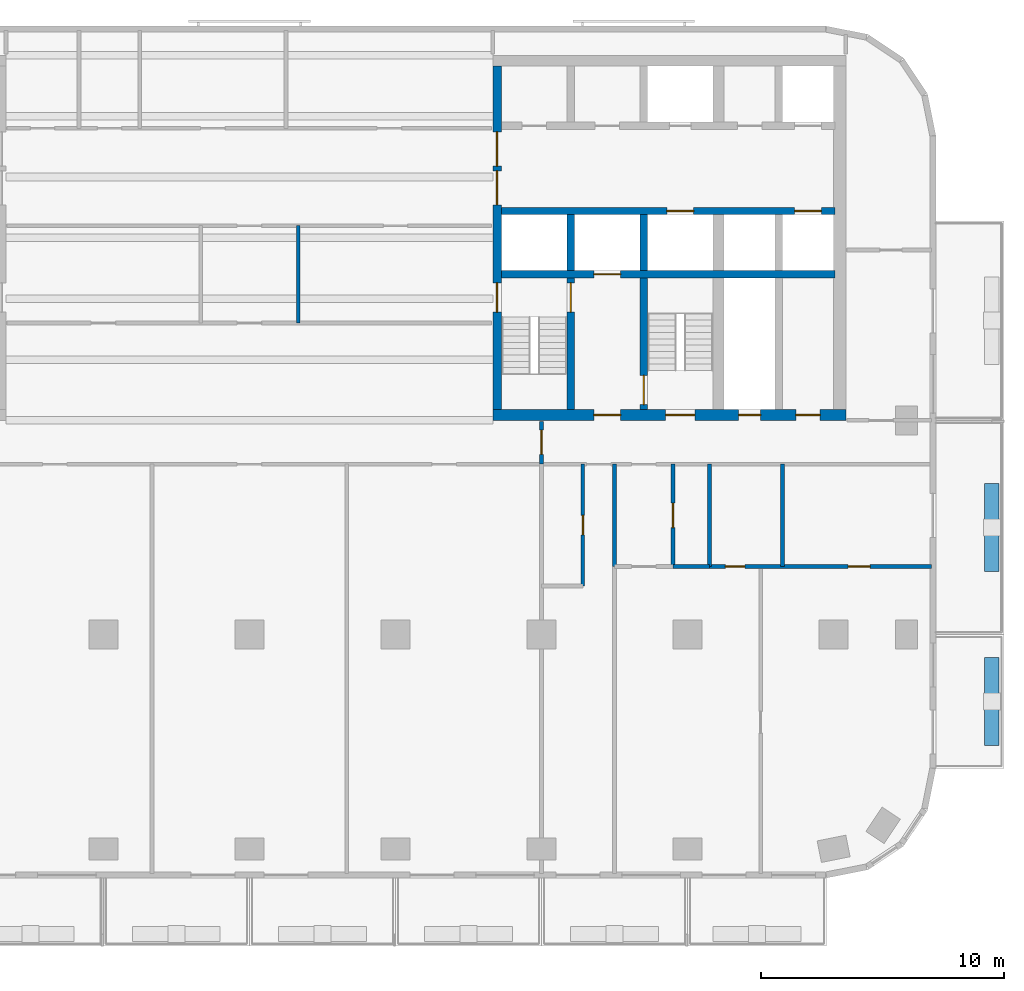
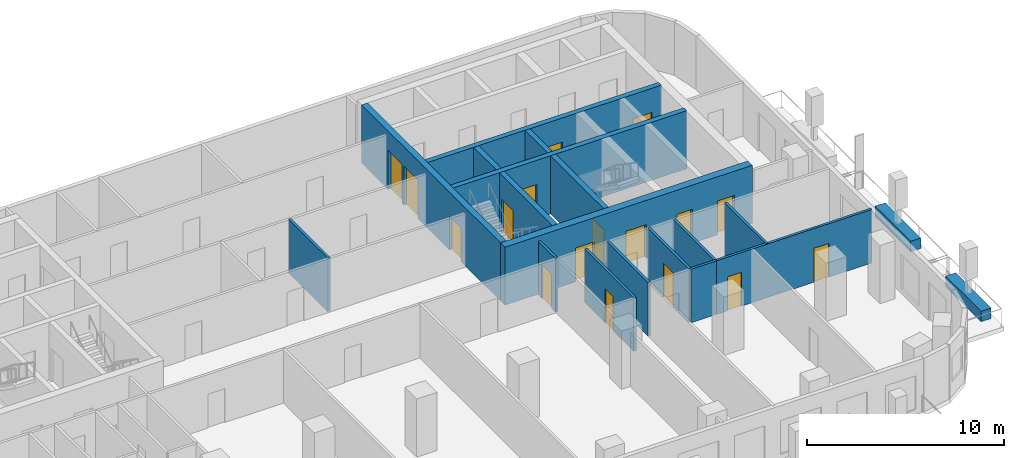
# One storey, part 5 of 11: 19 walls, 17 doors, 17 openings.
"""IFC4 building model written with IfcOpenShell, lengths in metres."""

from ifc_helpers import new_model, si_unit, direction, frame, frame_2d, origin, place, context, subcontext, project, spatial, rectangle, extrude, material, layer, layer_set, type_object, element, fill, save


model = new_model("IFC4")

# Units and contexts
model_context = context("Model", 3, precision=1e-05, world=origin(), true_north=direction((0.0, 1.0)))
body_context = subcontext(model_context, "Body", "Model", "MODEL_VIEW")
ifc_project = project(units=[si_unit("LENGTHUNIT", "METRE"), si_unit("AREAUNIT", "SQUARE_METRE"), si_unit("VOLUMEUNIT", "CUBIC_METRE"), si_unit("PLANEANGLEUNIT", "RADIAN"), si_unit("MASSUNIT", "GRAM", prefix="KILO")], contexts=[model_context])

# Site, building, storey
site_placement = place(None, origin())
site = spatial("IfcSite", under=ifc_project, at=site_placement, CompositionType="ELEMENT")
building_placement = place(site_placement, origin())
building = spatial("IfcBuilding", under=site, at=building_placement, Name="Torana Hotel and Residences", CompositionType="ELEMENT")
storey_placement = place(building_placement, frame((0.0, 0.0, 148.800048828125)))
storey = spatial("IfcBuildingStorey", under=building, at=storey_placement, Name="L38", CompositionType="ELEMENT", Elevation=148.800048828125)

# Wall, openings, doors
ifc_material_1 = material(Name="Concrete C70/85", Category="concrete")
ifc_layer_1 = layer(ifc_material_1, 0.300048828125)
ifc_layer_set_1 = layer_set([ifc_layer_1], Name="CORE WALL 300 C70/85")
wall_type_1 = type_object("IfcWallType", Name="CORE WALL 300 C70/85", PredefinedType="SHEAR", material=ifc_layer_set_1)
wall_1_placement = place(storey_placement, frame((10.35009765625, -6.39990234375, 0.0), z_axis=(0.0, 0.0, 1.0), x_axis=(1.0, 0.0, 0.0)))
wall_1 = element("IfcWall", 1, at=wall_1_placement, inside=storey, type_object=wall_type_1, Name="Core wall E row-S", PredefinedType="SHEAR", context=body_context, shape_type="SweptSolid", body=[
    extrude(rectangle(XDim=13.699951171875, YDim=0.300048828125, at=frame_2d((6.85009765625, 0.0))), origin(), (0.0, 0.0, 1.0), 3.599853515625),
])
opening_1_placement = place(wall_1_placement, frame((12.050048828125, 0.0, 0.0)))
opening_1 = element("IfcOpeningElement", 2, at=opening_1_placement, cuts=wall_1, Name="Opening LD", PredefinedType="OPENING", context=body_context, shape_type="SweptSolid", body=[
    extrude(rectangle(XDim=1.10009765625, YDim=2.10009765625, at=frame_2d((0.550048828125, 1.050048828125))), frame((0.0, 0.159912109375, 0.0), z_axis=(0.0, -1.0, 0.0), x_axis=(1.0, 0.0, 0.0)), (0.0, 0.0, 1.0), 0.320068359375),
])
opening_2_placement = place(wall_1_placement, frame((6.800048828125, 0.0, 0.0)))
opening_2 = element("IfcOpeningElement", 3, at=opening_2_placement, cuts=wall_1, Name="Opening LD", PredefinedType="OPENING", context=body_context, shape_type="SweptSolid", body=[
    extrude(rectangle(XDim=1.10009765625, YDim=2.10009765625, at=frame_2d((0.550048828125, 1.050048828125))), frame((0.0, 0.159912109375, 0.0), z_axis=(0.0, -1.0, 0.0), x_axis=(1.0, 0.0, 0.0)), (0.0, 0.0, 1.0), 0.320068359375),
])
ifc_material_2 = material(Name="Stainless steel 316", Category="steel")
door_type_1 = type_object("IfcDoorType", Name="LIFT LANDING DOOR LD 1100x2100", OperationType="DOUBLE_DOOR_SLIDING", PredefinedType="USERDEFINED", material=ifc_material_2)
door_1_placement = place(opening_1_placement, origin())
door_1 = element("IfcDoor", 4, at=door_1_placement, inside=storey, type_object=door_type_1, Name="Lift landing door M4 L38", ObjectType="LIFT LANDING DOOR", OperationType="DOUBLE_DOOR_SLIDING", OverallHeight=2.10009765625, OverallWidth=1.10009765625, PredefinedType="USERDEFINED", context=body_context, shape_type="SweptSolid", body=[
    extrude(rectangle(XDim=1.10009765625, YDim=2.10009765625, at=frame_2d((0.550048828125, 1.050048828125))), frame((0.0, 0.02490234375, 0.0), z_axis=(0.0, -1.0, 0.0), x_axis=(1.0, 0.0, 0.0)), (0.0, 0.0, 1.0), 0.050048828125),
])
fill(opening_1, door_1)
door_2_placement = place(opening_2_placement, origin())
door_2 = element("IfcDoor", 5, at=door_2_placement, inside=storey, type_object=door_type_1, Name="Lift landing door SV2 L38", ObjectType="LIFT LANDING DOOR", OperationType="DOUBLE_DOOR_SLIDING", OverallHeight=2.10009765625, OverallWidth=1.10009765625, PredefinedType="USERDEFINED", context=body_context, shape_type="SweptSolid", body=[
    extrude(rectangle(XDim=1.10009765625, YDim=2.10009765625, at=frame_2d((0.550048828125, 1.050048828125))), frame((0.0, 0.02490234375, 0.0), z_axis=(0.0, -1.0, 0.0), x_axis=(1.0, 0.0, 0.0)), (0.0, 0.0, 1.0), 0.050048828125),
])
fill(opening_2, door_2)

# Wall, opening, door
wall_2_placement = place(storey_placement, frame((10.35009765625, -9.0, 0.0), z_axis=(0.0, 0.0, 1.0), x_axis=(1.0, 0.0, 0.0)))
wall_2 = element("IfcWall", 6, at=wall_2_placement, inside=storey, type_object=wall_type_1, Name="Core wall E band", PredefinedType="SHEAR", context=body_context, shape_type="SweptSolid", body=[
    extrude(rectangle(XDim=13.699951171875, YDim=0.300048828125, at=frame_2d((6.85009765625, 0.0))), origin(), (0.0, 0.0, 1.0), 3.599853515625),
])
opening_3_placement = place(wall_2_placement, frame((3.800048828125, 0.0, 0.0)))
opening_3 = element("IfcOpeningElement", 7, at=opening_3_placement, cuts=wall_2, Name="Opening LD", PredefinedType="OPENING", context=body_context, shape_type="SweptSolid", body=[
    extrude(rectangle(XDim=1.10009765625, YDim=2.10009765625, at=frame_2d((0.550048828125, 1.050048828125))), frame((0.0, 0.159912109375, 0.0), z_axis=(0.0, -1.0, 0.0), x_axis=(1.0, 0.0, 0.0)), (0.0, 0.0, 1.0), 0.320068359375),
])
door_3_placement = place(opening_3_placement, origin())
door_3 = element("IfcDoor", 8, at=door_3_placement, inside=storey, type_object=door_type_1, Name="Lift landing door FF2 L38", ObjectType="LIFT LANDING DOOR", OperationType="DOUBLE_DOOR_SLIDING", OverallHeight=2.10009765625, OverallWidth=1.10009765625, PredefinedType="USERDEFINED", context=body_context, shape_type="SweptSolid", body=[
    extrude(rectangle(XDim=1.10009765625, YDim=2.10009765625, at=frame_2d((0.550048828125, 1.050048828125))), frame((0.0, 0.02490234375, 0.0), z_axis=(0.0, -1.0, 0.0), x_axis=(1.0, 0.0, 0.0)), (0.0, 0.0, 1.0), 0.050048828125),
])
fill(opening_3, door_3)

# Wall
wall_3_placement = place(storey_placement, frame((13.199951171875, -8.85009765625, 0.0), z_axis=(0.0, 0.0, 1.0), x_axis=(0.0, 1.0, 0.0)))
element("IfcWall", 9, at=wall_3_placement, inside=storey, type_object=wall_type_1, Name="Core wall E x3.05-S", PredefinedType="SHEAR", context=body_context, shape_type="SweptSolid", body=[
    extrude(rectangle(XDim=2.300048828125, YDim=0.300048828125, at=frame_2d((1.14990234375, 0.0))), origin(), (0.0, 0.0, 1.0), 3.599853515625),
])

# Wall, opening, door
wall_4_placement = place(storey_placement, frame((13.199951171875, -14.550048828125, 0.0), z_axis=(0.0, 0.0, 1.0), x_axis=(0.0, 1.0, 0.0)))
wall_4 = element("IfcWall", 10, at=wall_4_placement, inside=storey, type_object=wall_type_1, Name="Core wall E x3.05-band", PredefinedType="SHEAR", context=body_context, shape_type="SweptSolid", body=[
    extrude(rectangle(XDim=5.400146484375, YDim=0.300048828125, at=frame_2d((2.7001953125, 0.0))), origin(), (0.0, 0.0, 1.0), 3.599853515625),
])
opening_4_placement = place(wall_4_placement, frame((4.0, 0.0, 0.0)))
opening_4 = element("IfcOpeningElement", 11, at=opening_4_placement, cuts=wall_4, Name="Opening L38-25", PredefinedType="OPENING", context=body_context, shape_type="SweptSolid", body=[
    extrude(rectangle(XDim=1.199951171875, YDim=2.10009765625, at=frame_2d((0.60009765625, 1.050048828125))), frame((0.0, 0.159912109375, 0.0), z_axis=(0.0, -1.0, 0.0), x_axis=(1.0, 0.0, 0.0)), (0.0, 0.0, 1.0), 0.320068359375),
])
ifc_material_3 = material(Name="Steel S235", Category="steel")
door_type_2 = type_object("IfcDoorType", Name="STAIR FIRE DOOR D3 1200x2100", OperationType="SINGLE_SWING_LEFT", PredefinedType="DOOR", material=ifc_material_3)
door_4_placement = place(opening_4_placement, origin())
door_4 = element("IfcDoor", 12, at=door_4_placement, inside=storey, type_object=door_type_2, Name="Stair-A-lobby door L38", OperationType="SINGLE_SWING_LEFT", OverallHeight=2.10009765625, OverallWidth=1.199951171875, PredefinedType="DOOR", context=body_context, shape_type="SweptSolid", body=[
    extrude(rectangle(XDim=1.199951171875, YDim=2.10009765625, at=frame_2d((0.60009765625, 1.050048828125))), frame((0.0, 0.02490234375, 0.0), z_axis=(0.0, -1.0, 0.0), x_axis=(1.0, 0.0, 0.0)), (0.0, 0.0, 1.0), 0.050048828125),
])
fill(opening_4, door_4)

# Wall
wall_5_placement = place(storey_placement, frame((16.199951171875, -8.85009765625, 0.0), z_axis=(0.0, 0.0, 1.0), x_axis=(0.0, 1.0, 0.0)))
element("IfcWall", 13, at=wall_5_placement, inside=storey, type_object=wall_type_1, Name="Core wall E x6.05-S", PredefinedType="SHEAR", context=body_context, shape_type="SweptSolid", body=[
    extrude(rectangle(XDim=2.300048828125, YDim=0.300048828125, at=frame_2d((1.14990234375, 0.0))), origin(), (0.0, 0.0, 1.0), 3.599853515625),
])

# Wall, opening, door
wall_6_placement = place(storey_placement, frame((16.199951171875, -14.550048828125, 0.0), z_axis=(0.0, 0.0, 1.0), x_axis=(0.0, 1.0, 0.0)))
wall_6 = element("IfcWall", 14, at=wall_6_placement, inside=storey, type_object=wall_type_1, Name="Core wall E x6.05-band", PredefinedType="SHEAR", context=body_context, shape_type="SweptSolid", body=[
    extrude(rectangle(XDim=5.400146484375, YDim=0.300048828125, at=frame_2d((2.7001953125, 0.0))), origin(), (0.0, 0.0, 1.0), 3.599853515625),
])
opening_5_placement = place(wall_6_placement, frame((0.199951171875, 0.0, 0.0)))
opening_5 = element("IfcOpeningElement", 15, at=opening_5_placement, cuts=wall_6, Name="Opening L38-26", PredefinedType="OPENING", context=body_context, shape_type="SweptSolid", body=[
    extrude(rectangle(XDim=1.199951171875, YDim=2.10009765625, at=frame_2d((0.60009765625, 1.050048828125))), frame((0.0, 0.159912109375, 0.0), z_axis=(0.0, -1.0, 0.0), x_axis=(1.0, 0.0, 0.0)), (0.0, 0.0, 1.0), 0.320068359375),
])
door_5_placement = place(opening_5_placement, frame((0.60009765625, 0.0, 0.0), z_axis=(0.0, 0.0, 1.0), x_axis=(-1.0, 0.0, 0.0)))
door_5 = element("IfcDoor", 16, at=door_5_placement, inside=storey, type_object=door_type_2, Name="Stair-B-lobby door L38", OperationType="SINGLE_SWING_LEFT", OverallHeight=2.10009765625, OverallWidth=1.199951171875, PredefinedType="DOOR", context=body_context, shape_type="SweptSolid", body=[
    extrude(rectangle(XDim=1.199951171875, YDim=2.10009765625, at=frame_2d((0.0, 1.050048828125))), frame((0.0, -0.02490234375, 0.0), z_axis=(0.0, 1.0, 0.0), x_axis=(-1.0, 0.0, 0.0)), (0.0, 0.0, 1.0), 0.050048828125),
])
fill(opening_5, door_5)

# Wall, openings, doors
ifc_material_4 = material(Name="Concrete C70/85", Category="concrete")
ifc_layer_2 = layer(ifc_material_4, 0.35009765625)
ifc_layer_set_2 = layer_set([ifc_layer_2], Name="CORE WALL 350 C70/85")
wall_type_2 = type_object("IfcWallType", Name="CORE WALL 350 C70/85", PredefinedType="SHEAR", material=ifc_layer_set_2)
wall_7_placement = place(storey_placement, frame((10.175048828125, -14.550048828125, 0.0), z_axis=(0.0, 0.0, 1.0), x_axis=(0.0, 1.0, 0.0)))
wall_7 = element("IfcWall", 17, at=wall_7_placement, inside=storey, type_object=wall_type_2, Name="Core wall E arch", PredefinedType="SHEAR", context=body_context, shape_type="SweptSolid", body=[
    extrude(rectangle(XDim=14.10009765625, YDim=0.35009765625, at=frame_2d((7.050048828125, 0.0))), origin(), (0.0, 0.0, 1.0), 3.599853515625),
])
opening_6_placement = place(wall_7_placement, frame((8.39990234375, 0.0, 0.0)))
opening_6 = element("IfcOpeningElement", 18, at=opening_6_placement, cuts=wall_7, Name="Opening L38-14", PredefinedType="OPENING", context=body_context, shape_type="SweptSolid", body=[
    extrude(rectangle(XDim=1.39990234375, YDim=2.39990234375, at=frame_2d((0.699951171875, 1.199951171875))), frame((0.0, 0.18505859375, 0.0), z_axis=(0.0, -1.0, 0.0), x_axis=(1.0, 0.0, 0.0)), (0.0, 0.0, 1.0), 0.3701171875),
])
opening_7_placement = place(wall_7_placement, frame((10.0, 0.0, 0.0)))
opening_7 = element("IfcOpeningElement", 19, at=opening_7_placement, cuts=wall_7, Name="Opening L38-15", PredefinedType="OPENING", context=body_context, shape_type="SweptSolid", body=[
    extrude(rectangle(XDim=1.39990234375, YDim=2.39990234375, at=frame_2d((0.699951171875, 1.199951171875))), frame((0.0, 0.18505859375, 0.0), z_axis=(0.0, -1.0, 0.0), x_axis=(1.0, 0.0, 0.0)), (0.0, 0.0, 1.0), 0.3701171875),
])
opening_8_placement = place(wall_7_placement, frame((4.0, 0.0, 0.0)))
opening_8 = element("IfcOpeningElement", 20, at=opening_8_placement, cuts=wall_7, Name="Opening L38-16", PredefinedType="OPENING", context=body_context, shape_type="SweptSolid", body=[
    extrude(rectangle(XDim=1.199951171875, YDim=2.10009765625, at=frame_2d((0.60009765625, 1.050048828125))), frame((0.0, 0.18505859375, 0.0), z_axis=(0.0, -1.0, 0.0), x_axis=(1.0, 0.0, 0.0)), (0.0, 0.0, 1.0), 0.3701171875),
])
ifc_material_5 = material(Name="Steel S235", Category="steel")
door_type_3 = type_object("IfcDoorType", Name="LOBBY FIRE DOOR D4 1400x2400", OperationType="DOUBLE_DOOR_SINGLE_SWING", PredefinedType="DOOR", material=ifc_material_5)
door_6_placement = place(opening_6_placement, origin())
door_6 = element("IfcDoor", 21, at=door_6_placement, inside=storey, type_object=door_type_3, Name="Lobby-1 door L38", OperationType="DOUBLE_DOOR_SINGLE_SWING", OverallHeight=2.39990234375, OverallWidth=1.39990234375, PredefinedType="DOOR", context=body_context, shape_type="SweptSolid", body=[
    extrude(rectangle(XDim=1.39990234375, YDim=2.39990234375, at=frame_2d((0.699951171875, 1.199951171875))), frame((0.0, 0.02490234375, 0.0), z_axis=(0.0, -1.0, 0.0), x_axis=(1.0, 0.0, 0.0)), (0.0, 0.0, 1.0), 0.050048828125),
])
fill(opening_6, door_6)
door_7_placement = place(opening_7_placement, origin())
door_7 = element("IfcDoor", 22, at=door_7_placement, inside=storey, type_object=door_type_3, Name="Lobby-2 door L38", OperationType="DOUBLE_DOOR_SINGLE_SWING", OverallHeight=2.39990234375, OverallWidth=1.39990234375, PredefinedType="DOOR", context=body_context, shape_type="SweptSolid", body=[
    extrude(rectangle(XDim=1.39990234375, YDim=2.39990234375, at=frame_2d((0.699951171875, 1.199951171875))), frame((0.0, 0.02490234375, 0.0), z_axis=(0.0, -1.0, 0.0), x_axis=(1.0, 0.0, 0.0)), (0.0, 0.0, 1.0), 0.050048828125),
])
fill(opening_7, door_7)
door_8_placement = place(opening_8_placement, frame((0.60009765625, 0.0, 0.0), z_axis=(0.0, 0.0, 1.0), x_axis=(-1.0, 0.0, 0.0)))
door_8 = element("IfcDoor", 23, at=door_8_placement, inside=storey, type_object=door_type_2, Name="Stair-A door L38", OperationType="SINGLE_SWING_RIGHT", OverallHeight=2.10009765625, OverallWidth=1.199951171875, PredefinedType="DOOR", context=body_context, shape_type="SweptSolid", body=[
    extrude(rectangle(XDim=1.199951171875, YDim=2.10009765625, at=frame_2d((0.0, 1.050048828125))), frame((0.0, -0.02490234375, 0.0), z_axis=(0.0, 1.0, 0.0), x_axis=(-1.0, 0.0, 0.0)), (0.0, 0.0, 1.0), 0.050048828125),
])
fill(opening_8, door_8)

ifc_material_6 = material(Name="Concrete C70/85", Category="concrete")
ifc_layer_3 = layer(ifc_material_6, 0.449951171875)
ifc_layer_set_3 = layer_set([ifc_layer_3], Name="CORE WALL 450 C70/85")
wall_type_3 = type_object("IfcWallType", Name="CORE WALL 450 C70/85", PredefinedType="SHEAR", material=ifc_layer_set_3)
wall_8_placement = place(storey_placement, frame((10.0, -14.77490234375, 0.0), z_axis=(0.0, 0.0, 1.0), x_axis=(1.0, 0.0, 0.0)))
wall_8 = element("IfcWall", 24, at=wall_8_placement, inside=storey, type_object=wall_type_3, Name="Core wall E front", PredefinedType="SHEAR", context=body_context, shape_type="SweptSolid", body=[
    extrude(rectangle(XDim=14.5, YDim=0.449951171875, at=frame_2d((7.25, 0.0))), origin(), (0.0, 0.0, 1.0), 3.599853515625),
])
opening_9_placement = place(wall_8_placement, frame((7.10009765625, 0.0, 0.0)))
opening_9 = element("IfcOpeningElement", 25, at=opening_9_placement, cuts=wall_8, Name="Opening L38-17", PredefinedType="OPENING", context=body_context, shape_type="SweptSolid", body=[
    extrude(rectangle(XDim=1.199951171875, YDim=2.10009765625, at=frame_2d((0.60009765625, 1.050048828125))), frame((0.0, 0.23486328125, 0.0), z_axis=(0.0, -1.0, 0.0), x_axis=(1.0, 0.0, 0.0)), (0.0, 0.0, 1.0), 0.469970703125),
])
opening_10_placement = place(wall_8_placement, frame((4.14990234375, 0.0, 0.0)))
opening_10 = element("IfcOpeningElement", 26, at=opening_10_placement, cuts=wall_8, Name="Opening L38-18", PredefinedType="OPENING", context=body_context, shape_type="SweptSolid", body=[
    extrude(rectangle(XDim=1.10009765625, YDim=2.10009765625, at=frame_2d((0.550048828125, 1.050048828125))), frame((0.0, 0.23486328125, 0.0), z_axis=(0.0, -1.0, 0.0), x_axis=(1.0, 0.0, 0.0)), (0.0, 0.0, 1.0), 0.469970703125),
])
opening_11_placement = place(wall_8_placement, frame((10.10009765625, 0.0, 0.0)))
opening_11 = element("IfcOpeningElement", 27, at=opening_11_placement, cuts=wall_8, Name="Opening L38-19", PredefinedType="OPENING", context=body_context, shape_type="SweptSolid", body=[
    extrude(rectangle(XDim=0.89990234375, YDim=2.10009765625, at=frame_2d((0.449951171875, 1.050048828125))), frame((0.0, 0.23486328125, 0.0), z_axis=(0.0, -1.0, 0.0), x_axis=(1.0, 0.0, 0.0)), (0.0, 0.0, 1.0), 0.469970703125),
])
opening_12_placement = place(wall_8_placement, frame((12.449951171875, 0.0, 0.0)))
opening_12 = element("IfcOpeningElement", 28, at=opening_12_placement, cuts=wall_8, Name="Opening L38-20", PredefinedType="OPENING", context=body_context, shape_type="SweptSolid", body=[
    extrude(rectangle(XDim=1.0, YDim=2.10009765625, at=frame_2d((0.5, 1.050048828125))), frame((0.0, 0.23486328125, 0.0), z_axis=(0.0, -1.0, 0.0), x_axis=(1.0, 0.0, 0.0)), (0.0, 0.0, 1.0), 0.469970703125),
])
ifc_material_7 = material(Name="Steel S235", Category="steel")
door_type_4 = type_object("IfcDoorType", Name="CORE ROOM FIRE DOOR D14 1000x2100", OperationType="SINGLE_SWING_LEFT", PredefinedType="DOOR", material=ifc_material_7)
door_9_placement = place(opening_12_placement, origin())
door_9 = element("IfcDoor", 29, at=door_9_placement, inside=storey, type_object=door_type_4, Name="M-Room door L38", OperationType="SINGLE_SWING_RIGHT", OverallHeight=2.10009765625, OverallWidth=1.0, PredefinedType="DOOR", context=body_context, shape_type="SweptSolid", body=[
    extrude(rectangle(XDim=1.0, YDim=2.10009765625, at=frame_2d((0.5, 1.050048828125))), frame((0.0, 0.02490234375, 0.0), z_axis=(0.0, -1.0, 0.0), x_axis=(1.0, 0.0, 0.0)), (0.0, 0.0, 1.0), 0.050048828125),
])
fill(opening_12, door_9)
ifc_material_8 = material(Name="Steel S235", Category="steel")
door_type_5 = type_object("IfcDoorType", Name="FIRE-FIGHTING LOBBY DOOR D8 1100x2100", OperationType="SINGLE_SWING_LEFT", PredefinedType="DOOR", material=ifc_material_8)
door_10_placement = place(opening_10_placement, origin())
door_10 = element("IfcDoor", 30, at=door_10_placement, inside=storey, type_object=door_type_5, Name="FF-lobby door L38", OperationType="SINGLE_SWING_RIGHT", OverallHeight=2.10009765625, OverallWidth=1.10009765625, PredefinedType="DOOR", context=body_context, shape_type="SweptSolid", body=[
    extrude(rectangle(XDim=1.10009765625, YDim=2.10009765625, at=frame_2d((0.550048828125, 1.050048828125))), frame((0.0, 0.02490234375, 0.0), z_axis=(0.0, -1.0, 0.0), x_axis=(1.0, 0.0, 0.0)), (0.0, 0.0, 1.0), 0.050048828125),
])
fill(opening_10, door_10)
ifc_material_9 = material(Name="Steel S235", Category="steel")
door_type_6 = type_object("IfcDoorType", Name="RISER ACCESS DOOR D5 900x2100", OperationType="SINGLE_SWING_LEFT", PredefinedType="DOOR", material=ifc_material_9)
door_11_placement = place(opening_11_placement, origin())
door_11 = element("IfcDoor", 31, at=door_11_placement, inside=storey, type_object=door_type_6, Name="M-Riser door L38", OperationType="SINGLE_SWING_RIGHT", OverallHeight=2.10009765625, OverallWidth=0.89990234375, PredefinedType="DOOR", context=body_context, shape_type="SweptSolid", body=[
    extrude(rectangle(XDim=0.89990234375, YDim=2.10009765625, at=frame_2d((0.449951171875, 1.050048828125))), frame((0.0, 0.02490234375, 0.0), z_axis=(0.0, -1.0, 0.0), x_axis=(1.0, 0.0, 0.0)), (0.0, 0.0, 1.0), 0.050048828125),
])
fill(opening_11, door_11)
door_12_placement = place(opening_9_placement, origin())
door_12 = element("IfcDoor", 32, at=door_12_placement, inside=storey, type_object=door_type_2, Name="Stair-B door L38", OperationType="SINGLE_SWING_RIGHT", OverallHeight=2.10009765625, OverallWidth=1.199951171875, PredefinedType="DOOR", context=body_context, shape_type="SweptSolid", body=[
    extrude(rectangle(XDim=1.199951171875, YDim=2.10009765625, at=frame_2d((0.60009765625, 1.050048828125))), frame((0.0, 0.02490234375, 0.0), z_axis=(0.0, -1.0, 0.0), x_axis=(1.0, 0.0, 0.0)), (0.0, 0.0, 1.0), 0.050048828125),
])
fill(opening_9, door_12)

# Wall, opening, door
ifc_material_10 = material(Name="Gypsum plaster")
ifc_layer_4 = layer(ifc_material_10, 0.014892578125, Name="Plaster", Category="finish")
ifc_material_11 = material(Name="Concrete blockwork", Category="masonry")
ifc_layer_5 = layer(ifc_material_11, 0.1201171875, Name="Blockwork", Category="structure")
ifc_layer_6 = layer(ifc_material_10, 0.014892578125, Name="Plaster", Category="finish")
ifc_layer_set_4 = layer_set([ifc_layer_4, ifc_layer_5, ifc_layer_6], Name="FIRE PARTITION 150 BLOCKWORK")
wall_type_4 = type_object("IfcWallType", Name="FIRE PARTITION 150 BLOCKWORK", PredefinedType="PARTITIONING", material=ifc_layer_set_4)
wall_9_placement = place(storey_placement, frame((17.39990234375, -21.0, 0.0), z_axis=(0.0, 0.0, 1.0), x_axis=(0.0, 1.0, 0.0)))
wall_9 = element("IfcWall", 33, at=wall_9_placement, inside=storey, type_object=wall_type_4, Name="Partition L38", PredefinedType="PARTITIONING", context=body_context, shape_type="SweptSolid", body=[
    extrude(rectangle(XDim=4.199951171875, YDim=0.14990234375, at=frame_2d((2.10009765625, 0.0))), origin(), (0.0, 0.0, 1.0), 3.320068359375),
])
opening_13_placement = place(wall_9_placement, frame((1.60009765625, 0.0, 0.0)))
opening_13 = element("IfcOpeningElement", 34, at=opening_13_placement, cuts=wall_9, Name="Opening L38-53", PredefinedType="OPENING", context=body_context, shape_type="SweptSolid", body=[
    extrude(rectangle(XDim=1.0, YDim=2.10009765625, at=frame_2d((0.5, 1.050048828125))), frame((0.0, 0.0849609375, 0.0), z_axis=(0.0, -1.0, 0.0), x_axis=(1.0, 0.0, 0.0)), (0.0, 0.0, 1.0), 0.169921875),
])
ifc_material_12 = material(Name="Steel S235", Category="steel")
door_type_7 = type_object("IfcDoorType", Name="ENTRY FIRE DOOR D6 1000x2100", OperationType="SINGLE_SWING_LEFT", PredefinedType="DOOR", material=ifc_material_12)
door_13_placement = place(opening_13_placement, frame((0.5, 0.0, 0.0), z_axis=(0.0, 0.0, 1.0), x_axis=(-1.0, 0.0, 0.0)))
door_13 = element("IfcDoor", 35, at=door_13_placement, inside=storey, type_object=door_type_7, Name="Door L38", OperationType="SINGLE_SWING_LEFT", OverallHeight=2.10009765625, OverallWidth=1.0, PredefinedType="DOOR", context=body_context, shape_type="SweptSolid", body=[
    extrude(rectangle(XDim=1.0, YDim=2.10009765625, at=frame_2d((0.0, 1.050048828125))), frame((0.0, -0.02490234375, 0.0), z_axis=(0.0, 1.0, 0.0), x_axis=(-1.0, 0.0, 0.0)), (0.0, 0.0, 1.0), 0.050048828125),
])
fill(opening_13, door_13)

# Wall
wall_10_placement = place(storey_placement, frame((15.0, -21.0, 0.0), z_axis=(0.0, 0.0, 1.0), x_axis=(0.0, 1.0, 0.0)))
element("IfcWall", 36, at=wall_10_placement, inside=storey, type_object=wall_type_4, Name="Partition L38", PredefinedType="PARTITIONING", context=body_context, shape_type="SweptSolid", body=[
    extrude(rectangle(XDim=4.199951171875, YDim=0.14990234375, at=frame_2d((2.10009765625, 0.0))), origin(), (0.0, 0.0, 1.0), 3.320068359375),
])

# Wall, opening, door
wall_11_placement = place(storey_placement, frame((12.0, -16.800048828125, 0.0), z_axis=(0.0, 0.0, 1.0), x_axis=(0.0, 1.0, 0.0)))
wall_11 = element("IfcWall", 37, at=wall_11_placement, inside=storey, type_object=wall_type_4, Name="Partition L38", PredefinedType="PARTITIONING", context=body_context, shape_type="SweptSolid", body=[
    extrude(rectangle(XDim=1.75, YDim=0.14990234375, at=frame_2d((0.875, 0.0))), origin(), (0.0, 0.0, 1.0), 3.320068359375),
])
opening_14_placement = place(wall_11_placement, frame((0.39990234375, 0.0, 0.0)))
opening_14 = element("IfcOpeningElement", 38, at=opening_14_placement, cuts=wall_11, Name="Opening L38-31", PredefinedType="OPENING", context=body_context, shape_type="SweptSolid", body=[
    extrude(rectangle(XDim=1.0, YDim=2.10009765625, at=frame_2d((0.5, 1.050048828125))), frame((0.0, 0.0849609375, 0.0), z_axis=(0.0, -1.0, 0.0), x_axis=(1.0, 0.0, 0.0)), (0.0, 0.0, 1.0), 0.169921875),
])
door_14_placement = place(opening_14_placement, origin())
door_14 = element("IfcDoor", 39, at=door_14_placement, inside=storey, type_object=door_type_7, Name="Door L38", OperationType="SINGLE_SWING_RIGHT", OverallHeight=2.10009765625, OverallWidth=1.0, PredefinedType="DOOR", context=body_context, shape_type="SweptSolid", body=[
    extrude(rectangle(XDim=1.0, YDim=2.10009765625, at=frame_2d((0.5, 1.050048828125))), frame((0.0, 0.02490234375, 0.0), z_axis=(0.0, -1.0, 0.0), x_axis=(1.0, 0.0, 0.0)), (0.0, 0.0, 1.0), 0.050048828125),
])
fill(opening_14, door_14)

# Walls
wall_12_placement = place(storey_placement, frame((2.0, -11.0, 0.0), z_axis=(0.0, 0.0, 1.0), x_axis=(0.0, 1.0, 0.0)))
element("IfcWall", 40, at=wall_12_placement, inside=storey, type_object=wall_type_4, Name="Partition L38", PredefinedType="PARTITIONING", context=body_context, shape_type="SweptSolid", body=[
    extrude(rectangle(XDim=4.0, YDim=0.14990234375, at=frame_2d((2.0, 0.0))), origin(), (0.0, 0.0, 1.0), 3.320068359375),
])
ifc_material_13 = material(Name="Gypsum plasterboard")
ifc_layer_7 = layer(ifc_material_13, 0.012451171875, Name="Plasterboard", Category="finish")
ifc_layer_8 = layer(ifc_material_13, 0.012451171875, Name="Plasterboard", Category="finish")
ifc_material_14 = material(Name="Steel S280GD", Category="steel")
ifc_layer_9 = layer(ifc_material_14, 0.10009765625, Name="Steel studs with mineral wool", Category="insulation")
ifc_layer_10 = layer(ifc_material_13, 0.012451171875, Name="Plasterboard", Category="finish")
ifc_layer_11 = layer(ifc_material_13, 0.012451171875, Name="Plasterboard", Category="finish")
ifc_layer_set_5 = layer_set([ifc_layer_7, ifc_layer_8, ifc_layer_9, ifc_layer_10, ifc_layer_11], Name="PARTITION 150 PLASTERBOARD")
wall_type_5 = type_object("IfcWallType", Name="PARTITION 150 PLASTERBOARD", PredefinedType="PARTITIONING", material=ifc_layer_set_5)
wall_13_placement = place(storey_placement, frame((21.89990234375, -21.0, 0.0), z_axis=(0.0, 0.0, 1.0), x_axis=(0.0, 1.0, 0.0)))
element("IfcWall", 41, at=wall_13_placement, inside=storey, type_object=wall_type_5, Name="Partition L38", PredefinedType="PARTITIONING", context=body_context, shape_type="SweptSolid", body=[
    extrude(rectangle(XDim=4.199951171875, YDim=0.14990234375, at=frame_2d((2.10009765625, 0.0))), origin(), (0.0, 0.0, 1.0), 3.320068359375),
])

# Wall, opening, door
wall_14_placement = place(storey_placement, frame((13.699951171875, -21.800048828125, 0.0), z_axis=(0.0, 0.0, 1.0), x_axis=(0.0, 1.0, 0.0)))
wall_14 = element("IfcWall", 42, at=wall_14_placement, inside=storey, type_object=wall_type_5, Name="Partition L38", PredefinedType="PARTITIONING", context=body_context, shape_type="SweptSolid", body=[
    extrude(rectangle(XDim=5.0, YDim=0.14990234375, at=frame_2d((2.5, 0.0))), origin(), (0.0, 0.0, 1.0), 3.320068359375),
])
opening_15_placement = place(wall_14_placement, frame((2.10009765625, 0.0, 0.0)))
opening_15 = element("IfcOpeningElement", 43, at=opening_15_placement, cuts=wall_14, Name="Opening L38-47", PredefinedType="OPENING", context=body_context, shape_type="SweptSolid", body=[
    extrude(rectangle(XDim=0.800048828125, YDim=2.10009765625, at=frame_2d((0.39990234375, 1.050048828125))), frame((0.0, 0.0849609375, 0.0), z_axis=(0.0, -1.0, 0.0), x_axis=(1.0, 0.0, 0.0)), (0.0, 0.0, 1.0), 0.169921875),
])
ifc_material_15 = material(Name="Timber door, painted", Category="wood")
door_type_8 = type_object("IfcDoorType", Name="BATH DOOR D13 800x2100", OperationType="SINGLE_SWING_LEFT", PredefinedType="DOOR", material=ifc_material_15)
door_15_placement = place(opening_15_placement, origin())
door_15 = element("IfcDoor", 44, at=door_15_placement, inside=storey, type_object=door_type_8, Name="Door L38", OperationType="SINGLE_SWING_RIGHT", OverallHeight=2.10009765625, OverallWidth=0.800048828125, PredefinedType="DOOR", context=body_context, shape_type="SweptSolid", body=[
    extrude(rectangle(XDim=0.800048828125, YDim=2.10009765625, at=frame_2d((0.39990234375, 1.050048828125))), frame((0.0, 0.02490234375, 0.0), z_axis=(0.0, -1.0, 0.0), x_axis=(1.0, 0.0, 0.0)), (0.0, 0.0, 1.0), 0.050048828125),
])
fill(opening_15, door_15)

# Wall, openings, doors
wall_15_placement = place(storey_placement, frame((18.89990234375, -21.0, 0.0), z_axis=(0.0, 0.0, 1.0), x_axis=(1.0, 0.0, 0.0)))
wall_15 = element("IfcWall", 45, at=wall_15_placement, inside=storey, type_object=wall_type_5, Name="Partition L38", PredefinedType="PARTITIONING", context=body_context, shape_type="SweptSolid", body=[
    extrude(rectangle(XDim=9.1201171875, YDim=0.14990234375, at=frame_2d((4.56005859375, 0.0))), origin(), (0.0, 0.0, 1.0), 3.320068359375),
])
opening_16_placement = place(wall_15_placement, frame((0.64990234375, 0.0, 0.0)))
opening_16 = element("IfcOpeningElement", 46, at=opening_16_placement, cuts=wall_15, Name="Opening L38-55", PredefinedType="OPENING", context=body_context, shape_type="SweptSolid", body=[
    extrude(rectangle(XDim=0.800048828125, YDim=2.10009765625, at=frame_2d((0.39990234375, 1.050048828125))), frame((0.0, 0.0849609375, 0.0), z_axis=(0.0, -1.0, 0.0), x_axis=(1.0, 0.0, 0.0)), (0.0, 0.0, 1.0), 0.169921875),
])
opening_17_placement = place(wall_15_placement, frame((5.699951171875, 0.0, 0.0)))
opening_17 = element("IfcOpeningElement", 47, at=opening_17_placement, cuts=wall_15, Name="Opening L38-56", PredefinedType="OPENING", context=body_context, shape_type="SweptSolid", body=[
    extrude(rectangle(XDim=0.89990234375, YDim=2.10009765625, at=frame_2d((0.449951171875, 1.050048828125))), frame((0.0, 0.0849609375, 0.0), z_axis=(0.0, -1.0, 0.0), x_axis=(1.0, 0.0, 0.0)), (0.0, 0.0, 1.0), 0.169921875),
])
door_16_placement = place(opening_16_placement, origin())
door_16 = element("IfcDoor", 48, at=door_16_placement, inside=storey, type_object=door_type_8, Name="Door L38", OperationType="SINGLE_SWING_RIGHT", OverallHeight=2.10009765625, OverallWidth=0.800048828125, PredefinedType="DOOR", context=body_context, shape_type="SweptSolid", body=[
    extrude(rectangle(XDim=0.800048828125, YDim=2.10009765625, at=frame_2d((0.39990234375, 1.050048828125))), frame((0.0, 0.02490234375, 0.0), z_axis=(0.0, -1.0, 0.0), x_axis=(1.0, 0.0, 0.0)), (0.0, 0.0, 1.0), 0.050048828125),
])
fill(opening_16, door_16)
ifc_material_16 = material(Name="Timber door, oiled ash", Category="wood")
door_type_9 = type_object("IfcDoorType", Name="ROOM DOOR D7 900x2100", OperationType="SINGLE_SWING_LEFT", PredefinedType="DOOR", material=ifc_material_16)
door_17_placement = place(opening_17_placement, origin())
door_17 = element("IfcDoor", 49, at=door_17_placement, inside=storey, type_object=door_type_9, Name="Door L38", OperationType="SINGLE_SWING_RIGHT", OverallHeight=2.10009765625, OverallWidth=0.89990234375, PredefinedType="DOOR", context=body_context, shape_type="SweptSolid", body=[
    extrude(rectangle(XDim=0.89990234375, YDim=2.10009765625, at=frame_2d((0.449951171875, 1.050048828125))), frame((0.0, 0.02490234375, 0.0), z_axis=(0.0, -1.0, 0.0), x_axis=(1.0, 0.0, 0.0)), (0.0, 0.0, 1.0), 0.050048828125),
])
fill(opening_17, door_17)

# Walls
ifc_material_17 = material(Name="Concrete C40/50 precast", Category="concrete")
ifc_layer_12 = layer(ifc_material_17, 0.10009765625, Name="Planter shell", Category="structure")
ifc_material_18 = material(Name="Root resistant membrane")
ifc_layer_13 = layer(ifc_material_18, 0.00390625, Name="Waterproofing membrane", Category="membrane")
ifc_material_19 = material(Name="Drainage board with filter fleece")
ifc_layer_14 = layer(ifc_material_19, 0.02001953125, Name="Drainage board", Category="drainage")
ifc_material_20 = material(Name="Growing medium")
ifc_layer_15 = layer(ifc_material_20, 0.47607421875, Name="Planting substrate", Category="soil")
ifc_layer_set_6 = layer_set([ifc_layer_12, ifc_layer_13, ifc_layer_14, ifc_layer_15], Name="PL1 BALCONY PLANTER 600")
wall_type_6 = type_object("IfcWallType", Name="PL1 BALCONY PLANTER 600", PredefinedType="USERDEFINED", material=ifc_layer_set_6)
wall_16_placement = place(storey_placement, frame((30.5, -24.75, 0.0), z_axis=(0.0, 0.0, 1.0), x_axis=(0.0, -1.0, 0.0)))
element("IfcWall", 50, at=wall_16_placement, inside=storey, type_object=wall_type_6, Name="Planter 12", ObjectType="PLANTER", PredefinedType="USERDEFINED", context=body_context, shape_type="SweptSolid", body=[
    extrude(rectangle(XDim=3.60009765625, YDim=0.60009765625, at=frame_2d((1.800048828125, 0.0))), origin(), (0.0, 0.0, 1.0), 0.64990234375),
])
wall_17_placement = place(storey_placement, frame((30.5, -17.60009765625, 0.0), z_axis=(0.0, 0.0, 1.0), x_axis=(0.0, -1.0, 0.0)))
element("IfcWall", 51, at=wall_17_placement, inside=storey, type_object=wall_type_6, Name="Planter 13", ObjectType="PLANTER", PredefinedType="USERDEFINED", context=body_context, shape_type="SweptSolid", body=[
    extrude(rectangle(XDim=3.599853515625, YDim=0.60009765625, at=frame_2d((1.7998046875, 0.0))), origin(), (0.0, 0.0, 1.0), 0.64990234375),
])
ifc_material_21 = material(Name="Ceramic tile on adhesive")
ifc_layer_16 = layer(ifc_material_21, 0.010009765625, Name="Wall tile", Category="finish")
ifc_material_22 = material(Name="Cement render")
ifc_layer_17 = layer(ifc_material_22, 0.010009765625, Name="Render", Category="finish")
ifc_layer_18 = layer(ifc_material_11, 0.110107421875, Name="Blockwork", Category="structure")
ifc_layer_19 = layer(ifc_material_22, 0.010009765625, Name="Render", Category="finish")
ifc_layer_20 = layer(ifc_material_21, 0.010009765625, Name="Wall tile", Category="finish")
ifc_layer_set_7 = layer_set([ifc_layer_16, ifc_layer_17, ifc_layer_18, ifc_layer_19, ifc_layer_20], Name="WC PARTITION 150")
wall_type_7 = type_object("IfcWallType", Name="WC PARTITION 150", PredefinedType="PLUMBINGWALL", material=ifc_layer_set_7)
wall_18_placement = place(storey_placement, frame((18.89990234375, -21.0, 0.0), z_axis=(0.0, 0.0, 1.0), x_axis=(0.0, 1.0, 0.0)))
element("IfcWall", 52, at=wall_18_placement, inside=storey, type_object=wall_type_7, Name="Partition L38", PredefinedType="PLUMBINGWALL", context=body_context, shape_type="SweptSolid", body=[
    extrude(rectangle(XDim=4.199951171875, YDim=0.14990234375, at=frame_2d((2.10009765625, 0.0))), origin(), (0.0, 0.0, 1.0), 3.320068359375),
])
wall_19_placement = place(storey_placement, frame((17.39990234375, -21.0, 0.0), z_axis=(0.0, 0.0, 1.0), x_axis=(1.0, 0.0, 0.0)))
element("IfcWall", 53, at=wall_19_placement, inside=storey, type_object=wall_type_7, Name="Partition L38", PredefinedType="PLUMBINGWALL", context=body_context, shape_type="SweptSolid", body=[
    extrude(rectangle(XDim=1.5, YDim=0.14990234375, at=frame_2d((0.75, 0.0))), origin(), (0.0, 0.0, 1.0), 3.320068359375),
])

save(model, "model.ifc")
